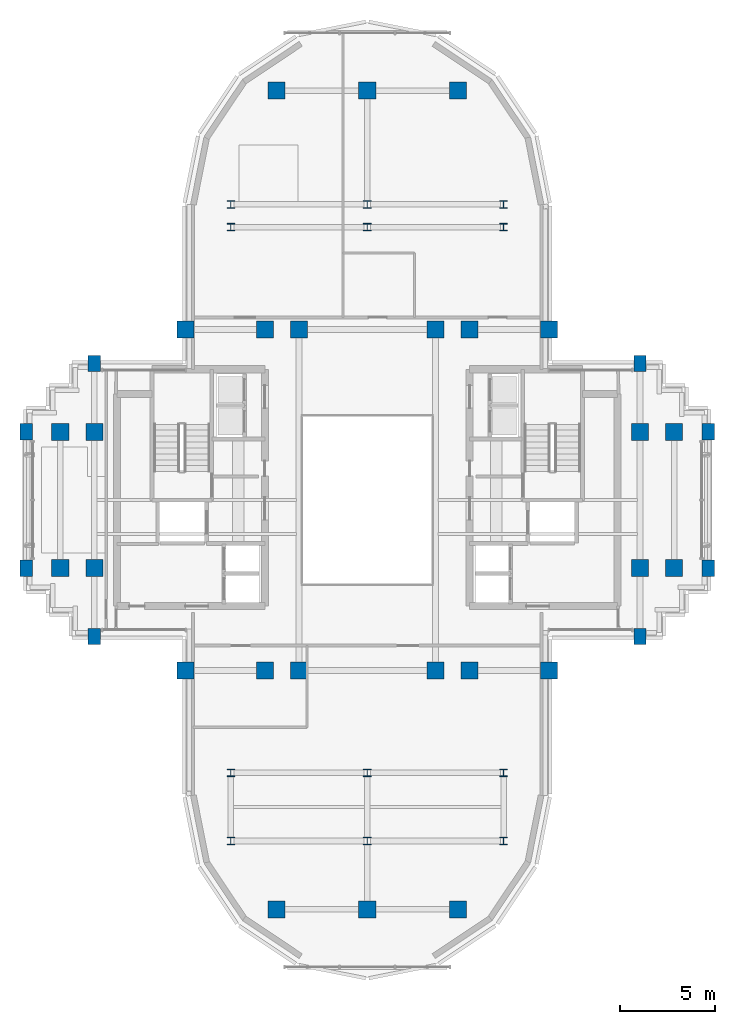
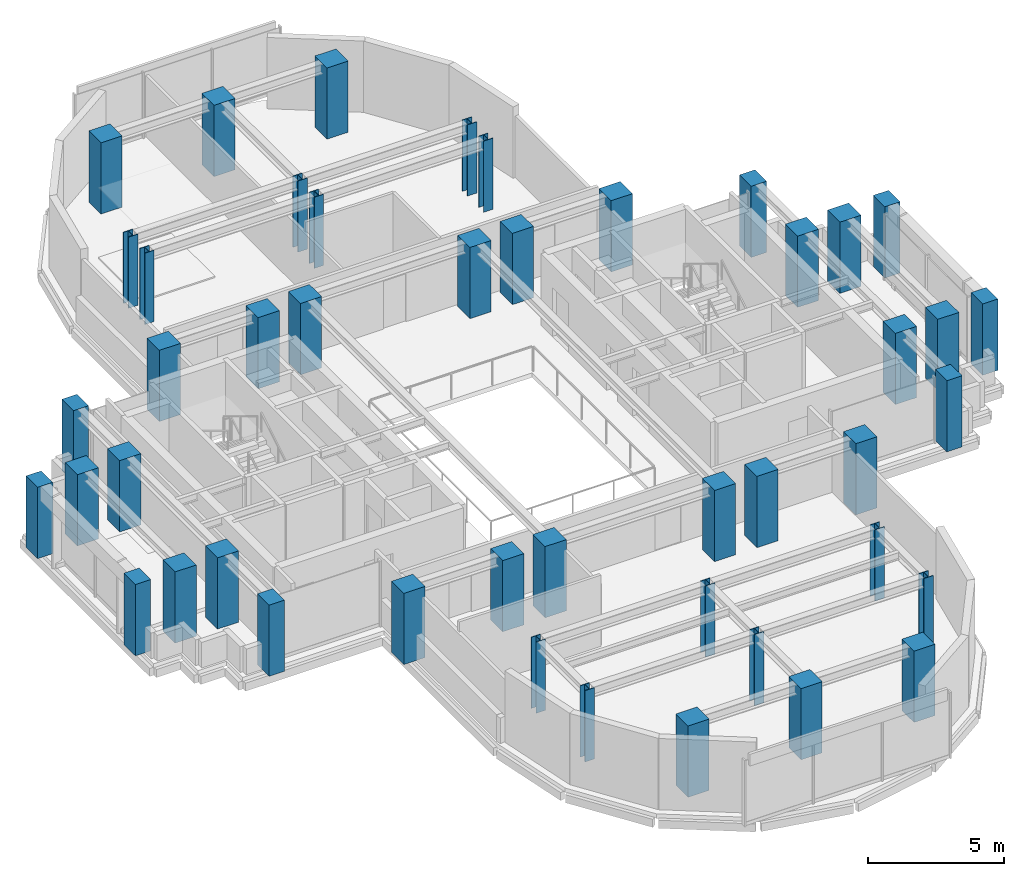
# One storey, part 1 of 12: 46 columns.
"""IFC4 building model written with IfcOpenShell, lengths in metres."""

from ifc_helpers import new_model, si_unit, direction, frame, origin, origin_2d, place, context, subcontext, project, spatial, rectangle, i_section, extrude, source, transform, mapped, material, material_profile, profile_set, type_object, element, save


model = new_model("IFC4")

# Units and contexts
model_context = context("Model", 3, precision=1e-05, world=origin(), true_north=direction((0.0, 1.0)))
body_context = subcontext(model_context, "Body", "Model", "MODEL_VIEW")
ifc_project = project(units=[si_unit("LENGTHUNIT", "METRE"), si_unit("AREAUNIT", "SQUARE_METRE"), si_unit("VOLUMEUNIT", "CUBIC_METRE"), si_unit("PLANEANGLEUNIT", "RADIAN"), si_unit("MASSUNIT", "GRAM", prefix="KILO")], contexts=[model_context])

# Site, building, storey
site_placement = place(None, origin())
site = spatial("IfcSite", under=ifc_project, at=site_placement, CompositionType="ELEMENT")
building_placement = place(site_placement, origin())
building = spatial("IfcBuilding", under=site, at=building_placement, Name="Keilestroom Media Tower", CompositionType="ELEMENT")
storey_placement = place(building_placement, frame((0.0, 0.0, 177.39990234375)))
storey = spatial("IfcBuildingStorey", under=building, at=storey_placement, Name="L48", CompositionType="ELEMENT", Elevation=177.39990234375)

# Columns
ifc_material_1 = material(Name="Precast concrete C40/50", Category="concrete")
ifc_material_profile_1 = material_profile(ifc_material_1, rectangle(XDim=0.64990234375, YDim=0.85009765625, at=origin_2d()), Name="PC 850x650")
ifc_profile_set_1 = profile_set([ifc_material_profile_1], Name="Precast concrete C40/50")
column_type_1 = type_object("IfcColumnType", Name="Structural-Column-PC-850x650", PredefinedType="COLUMN", material=ifc_profile_set_1)
shared_shape_1 = source(origin(), body_context, "Body", "SweptSolid", [
    extrude(rectangle(XDim=0.64990234375, YDim=0.85009765625, at=origin_2d()), origin(), (0.0, 0.0, 1.0), 3.2001953125),
])
for number, where, z_axis, x_axis, name in (
    (1, (-18.0, -3.60009765625, 0.0), (0.0, 0.0, 1.0), (1.0, 0.0, 0.0), "L48 Column PC-2 (-18.0,-3.6)"),
    (2, (-18.0, 3.60009765625, 0.0), (0.0, 0.0, 1.0), (1.0, 0.0, 0.0), "L48 Column PC-2 (-18.0,+3.6)"),
    (3, (-14.39990234375, -7.199951171875, 0.0), (0.0, 0.0, 1.0), (1.0, 0.0, 0.0), "L48 Column PC-2 (-14.4,-7.2)"),
    (4, (-14.39990234375, 7.199951171875, 0.0), (0.0, 0.0, 1.0), (1.0, 0.0, 0.0), "L48 Column PC-2 (-14.4,+7.2)"),
    (5, (14.39990234375, -7.199951171875, 0.0), (0.0, 0.0, 1.0), (1.0, 0.0, 0.0), "L48 Column PC-2 (+14.4,-7.2)"),
    (6, (14.39990234375, 7.199951171875, 0.0), (0.0, 0.0, 1.0), (1.0, 0.0, 0.0), "L48 Column PC-2 (+14.4,+7.2)"),
    (7, (18.0, -3.60009765625, 0.0), (0.0, 0.0, 1.0), (1.0, 0.0, 0.0), "L48 Column PC-2 (+18.0,-3.6)"),
    (8, (18.0, 3.60009765625, 0.0), (0.0, 0.0, 1.0), (1.0, 0.0, 0.0), "L48 Column PC-2 (+18.0,+3.6)"),
):
    element("IfcColumn", number, at=place(storey_placement, frame(where, z_axis=z_axis, x_axis=x_axis)), inside=storey, type_object=column_type_1, Name=name, PredefinedType="COLUMN", context=body_context, shape_type="MappedRepresentation", body=[
        mapped(shared_shape_1, transform((0.0, 0.0, 0.0), x_axis=(1.0, 0.0, 0.0), y_axis=(0.0, 1.0, 0.0), z_axis=(0.0, 0.0, 1.0), scale=1.0)),
    ])
ifc_material_2 = material(Name="Concrete C55/67", Category="concrete")
ifc_material_profile_2 = material_profile(ifc_material_2, rectangle(XDim=0.89990234375, YDim=0.89990234375, at=origin_2d()), Name="RC 900x900")
ifc_profile_set_2 = profile_set([ifc_material_profile_2], Name="Concrete C55/67")
column_type_2 = type_object("IfcColumnType", Name="Structural-Column-RC-900x900", PredefinedType="COLUMN", material=ifc_profile_set_2)
shared_shape_2 = source(origin(), body_context, "Body", "SweptSolid", [
    extrude(rectangle(XDim=0.89990234375, YDim=0.89990234375, at=origin_2d()), origin(), (0.0, 0.0, 1.0), 3.2001953125),
])
for number, where, z_axis, x_axis, name in (
    (9, (-16.199951171875, -3.60009765625, 0.0), (0.0, 0.0, 1.0), (1.0, 0.0, 0.0), "L48 Column MC-4 (-16.2,-3.6)"),
    (10, (-16.199951171875, 3.60009765625, 0.0), (0.0, 0.0, 1.0), (1.0, 0.0, 0.0), "L48 Column MC-4 (-16.2,+3.6)"),
    (11, (-14.39990234375, -3.60009765625, 0.0), (0.0, 0.0, 1.0), (1.0, 0.0, 0.0), "L48 Column MC-4 (-14.4,-3.6)"),
    (12, (-14.39990234375, 3.60009765625, 0.0), (0.0, 0.0, 1.0), (1.0, 0.0, 0.0), "L48 Column MC-4 (-14.4,+3.6)"),
    (13, (-9.60009765625, -9.0, 0.0), (0.0, 0.0, 1.0), (1.0, 0.0, 0.0), "L48 Column MC-4 (-9.6,-9.0)"),
    (14, (-9.60009765625, 9.0, 0.0), (0.0, 0.0, 1.0), (1.0, 0.0, 0.0), "L48 Column MC-4 (-9.6,+9.0)"),
    (15, (-5.39990234375, -9.0, 0.0), (0.0, 0.0, 1.0), (1.0, 0.0, 0.0), "L48 Column MC-4 (-5.4,-9.0)"),
    (16, (-5.39990234375, 9.0, 0.0), (0.0, 0.0, 1.0), (1.0, 0.0, 0.0), "L48 Column MC-4 (-5.4,+9.0)"),
    (17, (-4.800048828125, -21.60009765625, 0.0), (0.0, 0.0, 1.0), (1.0, 0.0, 0.0), "L48 Column MC-4 (-4.8,-21.6)"),
    (18, (-4.800048828125, 21.60009765625, 0.0), (0.0, 0.0, 1.0), (1.0, 0.0, 0.0), "L48 Column MC-4 (-4.8,+21.6)"),
    (19, (-3.60009765625, -9.0, 0.0), (0.0, 0.0, 1.0), (1.0, 0.0, 0.0), "L48 Column MC-4 (-3.6,-9.0)"),
    (20, (-3.60009765625, 9.0, 0.0), (0.0, 0.0, 1.0), (1.0, 0.0, 0.0), "L48 Column MC-4 (-3.6,+9.0)"),
    (21, (0.0, -21.60009765625, 0.0), (0.0, 0.0, 1.0), (1.0, 0.0, 0.0), "L48 Column MC-4 (+0.0,-21.6)"),
    (22, (0.0, 21.60009765625, 0.0), (0.0, 0.0, 1.0), (1.0, 0.0, 0.0), "L48 Column MC-4 (+0.0,+21.6)"),
    (23, (3.60009765625, -9.0, 0.0), (0.0, 0.0, 1.0), (1.0, 0.0, 0.0), "L48 Column MC-4 (+3.6,-9.0)"),
    (24, (3.60009765625, 9.0, 0.0), (0.0, 0.0, 1.0), (1.0, 0.0, 0.0), "L48 Column MC-4 (+3.6,+9.0)"),
    (25, (4.800048828125, -21.60009765625, 0.0), (0.0, 0.0, 1.0), (1.0, 0.0, 0.0), "L48 Column MC-4 (+4.8,-21.6)"),
    (26, (4.800048828125, 21.60009765625, 0.0), (0.0, 0.0, 1.0), (1.0, 0.0, 0.0), "L48 Column MC-4 (+4.8,+21.6)"),
    (27, (5.39990234375, -9.0, 0.0), (0.0, 0.0, 1.0), (1.0, 0.0, 0.0), "L48 Column MC-4 (+5.4,-9.0)"),
    (28, (5.39990234375, 9.0, 0.0), (0.0, 0.0, 1.0), (1.0, 0.0, 0.0), "L48 Column MC-4 (+5.4,+9.0)"),
    (29, (9.60009765625, -9.0, 0.0), (0.0, 0.0, 1.0), (1.0, 0.0, 0.0), "L48 Column MC-4 (+9.6,-9.0)"),
    (30, (9.60009765625, 9.0, 0.0), (0.0, 0.0, 1.0), (1.0, 0.0, 0.0), "L48 Column MC-4 (+9.6,+9.0)"),
    (31, (14.39990234375, -3.60009765625, 0.0), (0.0, 0.0, 1.0), (1.0, 0.0, 0.0), "L48 Column MC-4 (+14.4,-3.6)"),
    (32, (14.39990234375, 3.60009765625, 0.0), (0.0, 0.0, 1.0), (1.0, 0.0, 0.0), "L48 Column MC-4 (+14.4,+3.6)"),
    (33, (16.199951171875, -3.60009765625, 0.0), (0.0, 0.0, 1.0), (1.0, 0.0, 0.0), "L48 Column MC-4 (+16.2,-3.6)"),
    (34, (16.199951171875, 3.60009765625, 0.0), (0.0, 0.0, 1.0), (1.0, 0.0, 0.0), "L48 Column MC-4 (+16.2,+3.6)"),
):
    element("IfcColumn", number, at=place(storey_placement, frame(where, z_axis=z_axis, x_axis=x_axis)), inside=storey, type_object=column_type_2, Name=name, PredefinedType="COLUMN", context=body_context, shape_type="MappedRepresentation", body=[
        mapped(shared_shape_2, transform((0.0, 0.0, 0.0), x_axis=(1.0, 0.0, 0.0), y_axis=(0.0, 1.0, 0.0), z_axis=(0.0, 0.0, 1.0), scale=1.0)),
    ])
ifc_material_3 = material(Name="Steel S355", Category="steel")
ifc_material_profile_3 = material_profile(ifc_material_3, i_section(OverallWidth=0.39794921875, OverallDepth=0.386962890625, WebThickness=0.017578125, FlangeThickness=0.028076171875, at=origin_2d()), Name="HD 400x262")
ifc_profile_set_3 = profile_set([ifc_material_profile_3], Name="Steel S355")
column_type_3 = type_object("IfcColumnType", Name="Structural-Column-HD-400x262", PredefinedType="COLUMN", material=ifc_profile_set_3)
shared_shape_3 = source(origin(), body_context, "Body", "SweptSolid", [
    extrude(i_section(OverallWidth=0.39794921875, OverallDepth=0.386962890625, WebThickness=0.017578125, FlangeThickness=0.028076171875, at=origin_2d()), origin(), (0.0, 0.0, 1.0), 3.2001953125),
])
for number, where, z_axis, x_axis, name in (
    (35, (-7.199951171875, -18.0, 0.0), (0.0, 0.0, 1.0), (1.0, 0.0, 0.0), "L48 Column SC-4 (-7.2,-18.0)"),
    (36, (-7.199951171875, -14.39990234375, 0.0), (0.0, 0.0, 1.0), (1.0, 0.0, 0.0), "L48 Column SC-4 (-7.2,-14.4)"),
    (37, (-7.199951171875, 14.39990234375, 0.0), (0.0, 0.0, 1.0), (1.0, 0.0, 0.0), "L48 Column SC-4 (-7.2,+14.4)"),
    (38, (-7.199951171875, 15.60009765625, 0.0), (0.0, 0.0, 1.0), (1.0, 0.0, 0.0), "L48 Column SC-4 (-7.2,+15.6)"),
    (39, (0.0, -18.0, 0.0), (0.0, 0.0, 1.0), (1.0, 0.0, 0.0), "L48 Column SC-4 (+0.0,-18.0)"),
    (40, (0.0, -14.39990234375, 0.0), (0.0, 0.0, 1.0), (1.0, 0.0, 0.0), "L48 Column SC-4 (+0.0,-14.4)"),
    (41, (0.0, 14.39990234375, 0.0), (0.0, 0.0, 1.0), (1.0, 0.0, 0.0), "L48 Column SC-4 (+0.0,+14.4)"),
    (42, (0.0, 15.60009765625, 0.0), (0.0, 0.0, 1.0), (1.0, 0.0, 0.0), "L48 Column SC-4 (+0.0,+15.6)"),
    (43, (7.199951171875, -18.0, 0.0), (0.0, 0.0, 1.0), (1.0, 0.0, 0.0), "L48 Column SC-4 (+7.2,-18.0)"),
    (44, (7.199951171875, -14.39990234375, 0.0), (0.0, 0.0, 1.0), (1.0, 0.0, 0.0), "L48 Column SC-4 (+7.2,-14.4)"),
    (45, (7.199951171875, 14.39990234375, 0.0), (0.0, 0.0, 1.0), (1.0, 0.0, 0.0), "L48 Column SC-4 (+7.2,+14.4)"),
    (46, (7.199951171875, 15.60009765625, 0.0), (0.0, 0.0, 1.0), (1.0, 0.0, 0.0), "L48 Column SC-4 (+7.2,+15.6)"),
):
    element("IfcColumn", number, at=place(storey_placement, frame(where, z_axis=z_axis, x_axis=x_axis)), inside=storey, type_object=column_type_3, Name=name, PredefinedType="COLUMN", context=body_context, shape_type="MappedRepresentation", body=[
        mapped(shared_shape_3, transform((0.0, 0.0, 0.0), x_axis=(1.0, 0.0, 0.0), y_axis=(0.0, 1.0, 0.0), z_axis=(0.0, 0.0, 1.0), scale=1.0)),
    ])

save(model, "model.ifc")
